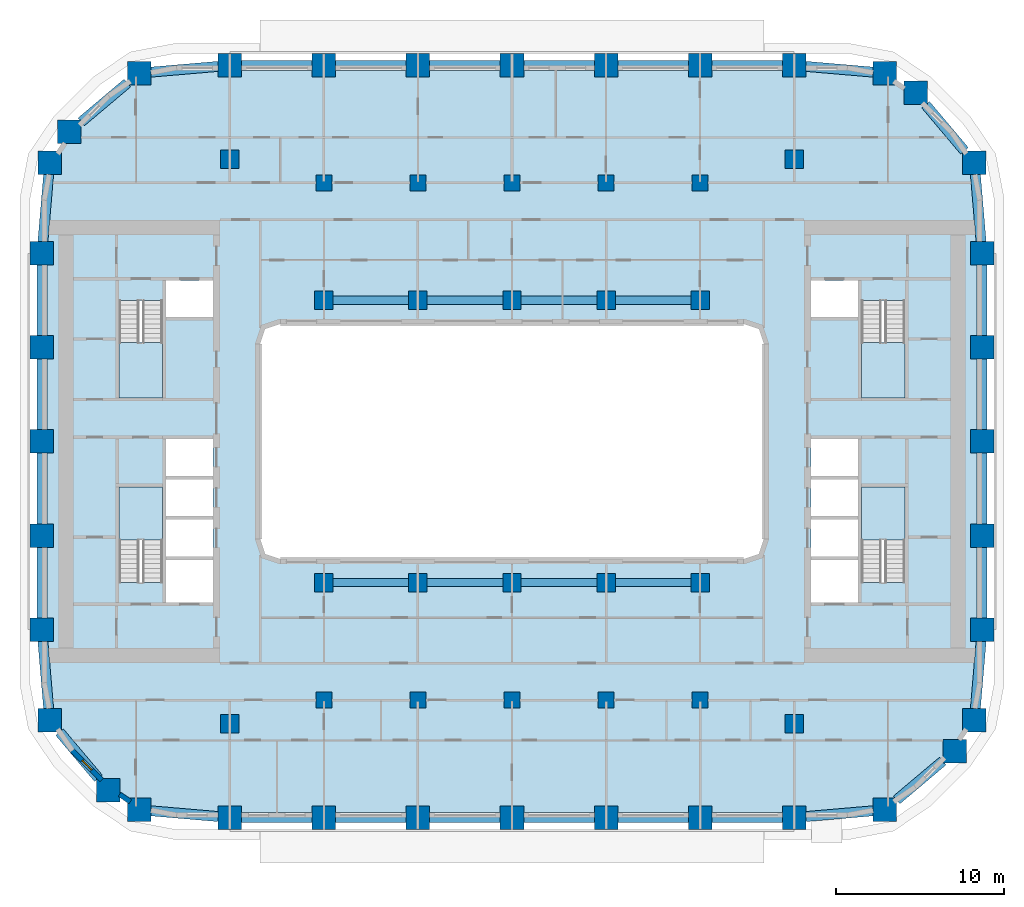
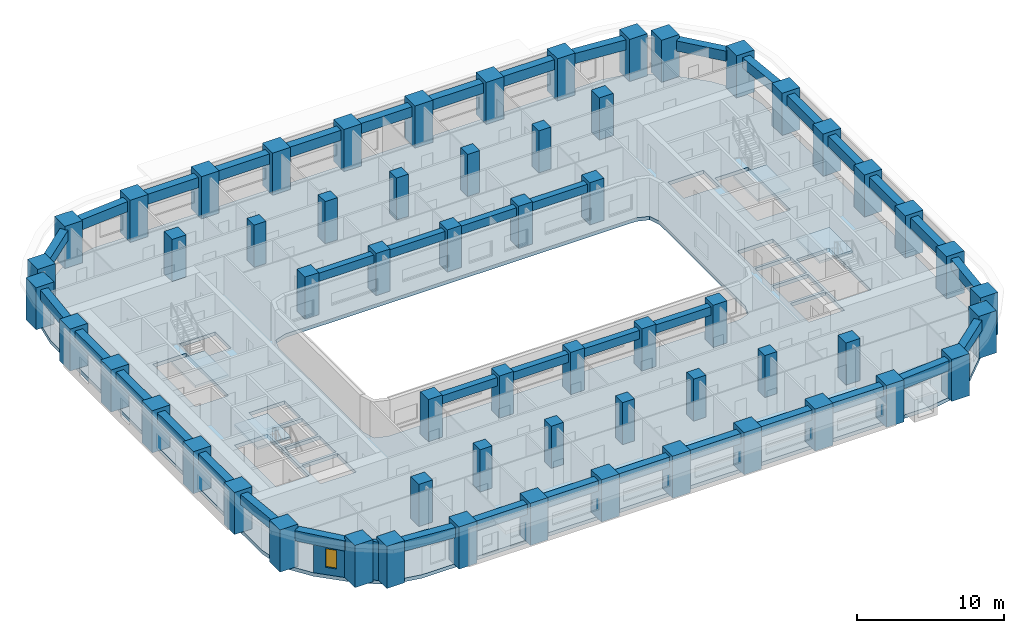
# One storey, part 1 of 22: 60 columns, 40 beams, 5 slabs, 2 walls, 1 window, 1 opening, 4 elements without a shape of their own.
"""IFC4 building model written with IfcOpenShell, lengths in metres."""

from ifc_helpers import new_model, si_unit, direction, frame, frame_2d, origin, origin_2d, place, context, subcontext, project, spatial, polyline, rectangle, outline, extrude, material, layer, layer_set, material_profile, profile_set, type_object, element, fill, aggregate, save


model = new_model("IFC4")

# Units and contexts
model_context = context("Model", 3, precision=1e-05, world=origin(), true_north=direction((0.0, 1.0)))
body_context = subcontext(model_context, "Body", "Model", "MODEL_VIEW")
ifc_project = project(units=[si_unit("LENGTHUNIT", "METRE"), si_unit("AREAUNIT", "SQUARE_METRE"), si_unit("VOLUMEUNIT", "CUBIC_METRE"), si_unit("PLANEANGLEUNIT", "RADIAN"), si_unit("MASSUNIT", "GRAM", prefix="KILO")], contexts=[model_context])

# Site, building, storey
site_placement = place(None, origin())
site = spatial("IfcSite", under=ifc_project, at=site_placement, CompositionType="ELEMENT")
building_placement = place(site_placement, origin())
building = spatial("IfcBuilding", under=site, at=building_placement, Name="Kiln Ring Residences", CompositionType="ELEMENT")
storey_placement = place(building_placement, frame((0.0, 0.0, 58.5)))
storey = spatial("IfcBuildingStorey", under=building, at=storey_placement, Name="L14", CompositionType="ELEMENT", Elevation=58.5)

# Columns
ifc_material_1 = material(Name="Concrete C80/95", Category="concrete")
ifc_material_profile_1 = material_profile(ifc_material_1, rectangle(XDim=0.949951171875, YDim=0.949951171875, at=origin_2d()), Name="RC950x950")
ifc_profile_set_1 = profile_set([ifc_material_profile_1], Name="Concrete C80/95")
column_type_1 = type_object("IfcColumnType", Name="Corridor column RC950x950 C80/95", PredefinedType="COLUMN", material=ifc_profile_set_1)
for number, where, z_axis, x_axis, name in (
    (1, (-11.199951171875, 15.39990234375, 0.0), (0.0, 0.0, 1.0), (1.0, 0.0, 0.0), "Corridor column L14 1"),
    (2, (-5.60009765625, 15.39990234375, 0.0), (0.0, 0.0, 1.0), (1.0, 0.0, 0.0), "Corridor column L14 2"),
    (3, (0.0, 15.39990234375, 0.0), (0.0, 0.0, 1.0), (1.0, 0.0, 0.0), "Corridor column L14 3"),
    (4, (5.60009765625, 15.39990234375, 0.0), (0.0, 0.0, 1.0), (1.0, 0.0, 0.0), "Corridor column L14 4"),
    (5, (11.199951171875, 15.39990234375, 0.0), (0.0, 0.0, 1.0), (1.0, 0.0, 0.0), "Corridor column L14 5"),
    (6, (-11.199951171875, -15.39990234375, 0.0), (0.0, 0.0, 1.0), (1.0, 0.0, 0.0), "Corridor column L14 6"),
    (7, (-5.60009765625, -15.39990234375, 0.0), (0.0, 0.0, 1.0), (1.0, 0.0, 0.0), "Corridor column L14 7"),
    (8, (0.0, -15.39990234375, 0.0), (0.0, 0.0, 1.0), (1.0, 0.0, 0.0), "Corridor column L14 8"),
    (9, (5.60009765625, -15.39990234375, 0.0), (0.0, 0.0, 1.0), (1.0, 0.0, 0.0), "Corridor column L14 9"),
    (10, (11.199951171875, -15.39990234375, 0.0), (0.0, 0.0, 1.0), (1.0, 0.0, 0.0), "Corridor column L14 10"),
):
    element("IfcColumn", number, at=place(storey_placement, frame(where, z_axis=z_axis, x_axis=x_axis)), inside=storey, type_object=column_type_1, Name=name, PredefinedType="COLUMN", context=body_context, shape_type="SweptSolid", body=[
        extrude(rectangle(XDim=0.949951171875, YDim=0.949951171875, at=origin_2d()), origin(), (0.0, 0.0, 1.0), 3.5),
    ])
ifc_material_2 = material(Name="Concrete C80/95", Category="concrete")
ifc_material_profile_2 = material_profile(ifc_material_2, rectangle(XDim=1.39990234375, YDim=1.39990234375, at=origin_2d()), Name="RC1400x1400")
ifc_profile_set_2 = profile_set([ifc_material_profile_2], Name="Concrete C80/95")
column_type_2 = type_object("IfcColumnType", Name="Perimeter column RC1400x1400 C80/95", PredefinedType="COLUMN", material=ifc_profile_set_2)
for number, where, z_axis, x_axis, name in (
    (11, (-22.208740234375, -21.93798828125, 0.0), (0.0, 0.0, 1.0), (1.0, 0.0, 0.0), "Perimeter column L14 1"),
    (12, (-16.800048828125, -22.39990234375, 0.0), (0.0, 0.0, 1.0), (1.0, 0.0, 0.0), "Perimeter column L14 2"),
    (13, (-11.199951171875, -22.39990234375, 0.0), (0.0, 0.0, 1.0), (1.0, 0.0, 0.0), "Perimeter column L14 3"),
    (14, (-5.60009765625, -22.39990234375, 0.0), (0.0, 0.0, 1.0), (1.0, 0.0, 0.0), "Perimeter column L14 4"),
    (15, (0.0, -22.39990234375, 0.0), (0.0, 0.0, 1.0), (1.0, 0.0, 0.0), "Perimeter column L14 5"),
    (16, (5.60009765625, -22.39990234375, 0.0), (0.0, 0.0, 1.0), (1.0, 0.0, 0.0), "Perimeter column L14 6"),
    (17, (11.199951171875, -22.39990234375, 0.0), (0.0, 0.0, 1.0), (1.0, 0.0, 0.0), "Perimeter column L14 7"),
    (18, (16.800048828125, -22.39990234375, 0.0), (0.0, 0.0, 1.0), (1.0, 0.0, 0.0), "Perimeter column L14 8"),
    (19, (22.208740234375, -21.93798828125, 0.0), (0.0, 0.0, 1.0), (1.0, 0.0, 0.0), "Perimeter column L14 9"),
    (20, (26.35986328125, -18.440185546875, 0.0), (0.0, 0.0, 1.0), (1.0, 0.0, 0.0), "Perimeter column L14 10"),
    (21, (27.5380859375, -16.608642578125, 0.0), (0.0, 0.0, 1.0), (1.0, 0.0, 0.0), "Perimeter column L14 11"),
    (22, (28.0, -11.199951171875, 0.0), (0.0, 0.0, 1.0), (1.0, 0.0, 0.0), "Perimeter column L14 12"),
    (23, (28.0, -5.60009765625, 0.0), (0.0, 0.0, 1.0), (1.0, 0.0, 0.0), "Perimeter column L14 13"),
    (24, (28.0, 0.0, 0.0), (0.0, 0.0, 1.0), (1.0, 0.0, 0.0), "Perimeter column L14 14"),
    (25, (28.0, 5.60009765625, 0.0), (0.0, 0.0, 1.0), (1.0, 0.0, 0.0), "Perimeter column L14 15"),
    (26, (28.0, 11.199951171875, 0.0), (0.0, 0.0, 1.0), (1.0, 0.0, 0.0), "Perimeter column L14 16"),
    (27, (27.5380859375, 16.608642578125, 0.0), (0.0, 0.0, 1.0), (1.0, 0.0, 0.0), "Perimeter column L14 17"),
    (28, (24.040283203125, 20.759765625, 0.0), (0.0, 0.0, 1.0), (1.0, 0.0, 0.0), "Perimeter column L14 18"),
    (29, (22.208740234375, 21.93798828125, 0.0), (0.0, 0.0, 1.0), (1.0, 0.0, 0.0), "Perimeter column L14 19"),
    (30, (16.800048828125, 22.39990234375, 0.0), (0.0, 0.0, 1.0), (1.0, 0.0, 0.0), "Perimeter column L14 20"),
    (31, (11.199951171875, 22.39990234375, 0.0), (0.0, 0.0, 1.0), (1.0, 0.0, 0.0), "Perimeter column L14 21"),
    (32, (5.60009765625, 22.39990234375, 0.0), (0.0, 0.0, 1.0), (1.0, 0.0, 0.0), "Perimeter column L14 22"),
    (33, (0.0, 22.39990234375, 0.0), (0.0, 0.0, 1.0), (1.0, 0.0, 0.0), "Perimeter column L14 23"),
    (34, (-5.60009765625, 22.39990234375, 0.0), (0.0, 0.0, 1.0), (1.0, 0.0, 0.0), "Perimeter column L14 24"),
    (35, (-11.199951171875, 22.39990234375, 0.0), (0.0, 0.0, 1.0), (1.0, 0.0, 0.0), "Perimeter column L14 25"),
    (36, (-16.800048828125, 22.39990234375, 0.0), (0.0, 0.0, 1.0), (1.0, 0.0, 0.0), "Perimeter column L14 26"),
    (37, (-22.208740234375, 21.93798828125, 0.0), (0.0, 0.0, 1.0), (1.0, 0.0, 0.0), "Perimeter column L14 27"),
    (38, (-26.35986328125, 18.440185546875, 0.0), (0.0, 0.0, 1.0), (1.0, 0.0, 0.0), "Perimeter column L14 28"),
    (39, (-27.5380859375, 16.608642578125, 0.0), (0.0, 0.0, 1.0), (1.0, 0.0, 0.0), "Perimeter column L14 29"),
    (40, (-28.0, 11.199951171875, 0.0), (0.0, 0.0, 1.0), (1.0, 0.0, 0.0), "Perimeter column L14 30"),
    (41, (-28.0, 5.60009765625, 0.0), (0.0, 0.0, 1.0), (1.0, 0.0, 0.0), "Perimeter column L14 31"),
    (42, (-28.0, 0.0, 0.0), (0.0, 0.0, 1.0), (1.0, 0.0, 0.0), "Perimeter column L14 32"),
    (43, (-28.0, -5.60009765625, 0.0), (0.0, 0.0, 1.0), (1.0, 0.0, 0.0), "Perimeter column L14 33"),
    (44, (-28.0, -11.199951171875, 0.0), (0.0, 0.0, 1.0), (1.0, 0.0, 0.0), "Perimeter column L14 34"),
    (45, (-27.5380859375, -16.608642578125, 0.0), (0.0, 0.0, 1.0), (1.0, 0.0, 0.0), "Perimeter column L14 35"),
    (46, (-24.040283203125, -20.759765625, 0.0), (0.0, 0.0, 1.0), (1.0, 0.0, 0.0), "Perimeter column L14 36"),
):
    element("IfcColumn", number, at=place(storey_placement, frame(where, z_axis=z_axis, x_axis=x_axis)), inside=storey, type_object=column_type_2, Name=name, PredefinedType="COLUMN", context=body_context, shape_type="SweptSolid", body=[
        extrude(rectangle(XDim=1.39990234375, YDim=1.39990234375, at=origin_2d()), origin(), (0.0, 0.0, 1.0), 3.5),
    ])
ifc_material_3 = material(Name="Concrete C80/95", Category="concrete")
ifc_material_profile_3 = material_profile(ifc_material_3, rectangle(XDim=1.10009765625, YDim=1.10009765625, at=origin_2d()), Name="RC1100x1100")
ifc_profile_set_3 = profile_set([ifc_material_profile_3], Name="Concrete C80/95")
column_type_3 = type_object("IfcColumnType", Name="Ring column RC1100x1100 C80/95", PredefinedType="COLUMN", material=ifc_profile_set_3)
for number, where, z_axis, x_axis, name in (
    (47, (-16.800048828125, -16.800048828125, 0.0), (0.0, 0.0, 1.0), (1.0, 0.0, 0.0), "Ring column L14 1"),
    (48, (-16.800048828125, 16.800048828125, 0.0), (0.0, 0.0, 1.0), (1.0, 0.0, 0.0), "Ring column L14 2"),
    (49, (-11.199951171875, -8.39990234375, 0.0), (0.0, 0.0, 1.0), (1.0, 0.0, 0.0), "Ring column L14 3"),
    (50, (-11.199951171875, 8.39990234375, 0.0), (0.0, 0.0, 1.0), (1.0, 0.0, 0.0), "Ring column L14 4"),
    (51, (-5.60009765625, -8.39990234375, 0.0), (0.0, 0.0, 1.0), (1.0, 0.0, 0.0), "Ring column L14 5"),
    (52, (-5.60009765625, 8.39990234375, 0.0), (0.0, 0.0, 1.0), (1.0, 0.0, 0.0), "Ring column L14 6"),
    (53, (0.0, -8.39990234375, 0.0), (0.0, 0.0, 1.0), (1.0, 0.0, 0.0), "Ring column L14 7"),
    (54, (0.0, 8.39990234375, 0.0), (0.0, 0.0, 1.0), (1.0, 0.0, 0.0), "Ring column L14 8"),
    (55, (5.60009765625, -8.39990234375, 0.0), (0.0, 0.0, 1.0), (1.0, 0.0, 0.0), "Ring column L14 9"),
    (56, (5.60009765625, 8.39990234375, 0.0), (0.0, 0.0, 1.0), (1.0, 0.0, 0.0), "Ring column L14 10"),
    (57, (11.199951171875, -8.39990234375, 0.0), (0.0, 0.0, 1.0), (1.0, 0.0, 0.0), "Ring column L14 11"),
    (58, (11.199951171875, 8.39990234375, 0.0), (0.0, 0.0, 1.0), (1.0, 0.0, 0.0), "Ring column L14 12"),
    (59, (16.800048828125, -16.800048828125, 0.0), (0.0, 0.0, 1.0), (1.0, 0.0, 0.0), "Ring column L14 13"),
    (60, (16.800048828125, 16.800048828125, 0.0), (0.0, 0.0, 1.0), (1.0, 0.0, 0.0), "Ring column L14 14"),
):
    element("IfcColumn", number, at=place(storey_placement, frame(where, z_axis=z_axis, x_axis=x_axis)), inside=storey, type_object=column_type_3, Name=name, PredefinedType="COLUMN", context=body_context, shape_type="SweptSolid", body=[
        extrude(rectangle(XDim=1.10009765625, YDim=1.10009765625, at=origin_2d()), origin(), (0.0, 0.0, 1.0), 3.5),
    ])

# Beams
ifc_material_4 = material(Name="Concrete C50/60", Category="concrete")
ifc_material_profile_4 = material_profile(ifc_material_4, rectangle(XDim=0.5, YDim=0.699951171875, at=origin_2d()), Name="RC500x700")
ifc_profile_set_4 = profile_set([ifc_material_profile_4], Name="Concrete C50/60")
beam_type_1 = type_object("IfcBeamType", Name="Ring beam RC500x700 C50/60", PredefinedType="BEAM", material=ifc_profile_set_4)
for number, where, z_axis, x_axis, name in (
    (61, (-10.64990234375, -8.39990234375, 2.85009765625), (1.0, 0.0, 0.0), (0.0, 1.0, 0.0), "Ring beam L14 1"),
    (62, (-5.050048828125, -8.39990234375, 2.85009765625), (1.0, 0.0, 0.0), (0.0, 1.0, 0.0), "Ring beam L14 2"),
    (63, (0.550048828125, -8.39990234375, 2.85009765625), (1.0, 0.0, 0.0), (0.0, 1.0, 0.0), "Ring beam L14 3"),
    (64, (6.14990234375, -8.39990234375, 2.85009765625), (1.0, 0.0, 0.0), (0.0, 1.0, 0.0), "Ring beam L14 4"),
    (65, (-10.64990234375, 8.39990234375, 2.85009765625), (1.0, 0.0, 0.0), (0.0, 1.0, 0.0), "Ring beam L14 5"),
    (66, (-5.050048828125, 8.39990234375, 2.85009765625), (1.0, 0.0, 0.0), (0.0, 1.0, 0.0), "Ring beam L14 6"),
    (67, (0.550048828125, 8.39990234375, 2.85009765625), (1.0, 0.0, 0.0), (0.0, 1.0, 0.0), "Ring beam L14 7"),
    (68, (6.14990234375, 8.39990234375, 2.85009765625), (1.0, 0.0, 0.0), (0.0, 1.0, 0.0), "Ring beam L14 8"),
):
    element("IfcBeam", number, at=place(storey_placement, frame(where, z_axis=z_axis, x_axis=x_axis)), inside=storey, type_object=beam_type_1, Name=name, PredefinedType="BEAM", context=body_context, shape_type="SweptSolid", body=[
        extrude(rectangle(XDim=0.5, YDim=0.699951171875, at=origin_2d()), origin(), (0.0, 0.0, 1.0), 4.5),
    ])
ifc_material_5 = material(Name="Concrete C50/60", Category="concrete")
ifc_material_profile_5 = material_profile(ifc_material_5, rectangle(XDim=0.60009765625, YDim=0.85009765625, at=origin_2d()), Name="RC600x850")
ifc_profile_set_5 = profile_set([ifc_material_profile_5], Name="Concrete C50/60")
beam_type_2 = type_object("IfcBeamType", Name="Spandrel beam RC600x850 C50/60", PredefinedType="SPANDREL", material=ifc_profile_set_5)
beam_1_placement = place(storey_placement, frame((-21.5087890625, -21.997802734375, 2.77490234375), z_axis=(0.996369479058, -0.085134371444, 0.0), x_axis=(0.085134371444, 0.996369479058, 0.0)))
element("IfcBeam", 69, at=beam_1_placement, inside=storey, type_object=beam_type_2, Name="Spandrel beam L14 1", PredefinedType="SPANDREL", context=body_context, shape_type="SweptSolid", body=[
    extrude(rectangle(XDim=0.60009765625, YDim=0.85009765625, at=origin_2d()), origin(), (0.0, 0.0, 1.0), 4.0234375),
])
beam_2_placement = place(storey_placement, frame((-16.10009765625, -22.39990234375, 2.77490234375), z_axis=(1.0, 0.0, 0.0), x_axis=(0.0, 1.0, 0.0)))
element("IfcBeam", 70, at=beam_2_placement, inside=storey, type_object=beam_type_2, Name="Spandrel beam L14 2", PredefinedType="SPANDREL", context=body_context, shape_type="SweptSolid", body=[
    extrude(rectangle(XDim=0.60009765625, YDim=0.85009765625, at=origin_2d()), origin(), (0.0, 0.0, 1.0), 4.2001953125),
])
for number, where, z_axis, x_axis, name in (
    (71, (-10.5, -22.39990234375, 2.77490234375), (1.0, 0.0, 0.0), (0.0, 1.0, 0.0), "Spandrel beam L14 3"),
    (72, (-4.89990234375, -22.39990234375, 2.77490234375), (1.0, 0.0, 0.0), (0.0, 1.0, 0.0), "Spandrel beam L14 4"),
    (73, (0.699951171875, -22.39990234375, 2.77490234375), (1.0, 0.0, 0.0), (0.0, 1.0, 0.0), "Spandrel beam L14 5"),
    (74, (6.300048828125, -22.39990234375, 2.77490234375), (1.0, 0.0, 0.0), (0.0, 1.0, 0.0), "Spandrel beam L14 6"),
):
    element("IfcBeam", number, at=place(storey_placement, frame(where, z_axis=z_axis, x_axis=x_axis)), inside=storey, type_object=beam_type_2, Name=name, PredefinedType="SPANDREL", context=body_context, shape_type="SweptSolid", body=[
        extrude(rectangle(XDim=0.60009765625, YDim=0.85009765625, at=origin_2d()), origin(), (0.0, 0.0, 1.0), 4.199951171875),
    ])
beam_3_placement = place(storey_placement, frame((11.89990234375, -22.39990234375, 2.77490234375), z_axis=(1.0, 0.0, 0.0), x_axis=(0.0, 1.0, 0.0)))
element("IfcBeam", 75, at=beam_3_placement, inside=storey, type_object=beam_type_2, Name="Spandrel beam L14 7", PredefinedType="SPANDREL", context=body_context, shape_type="SweptSolid", body=[
    extrude(rectangle(XDim=0.60009765625, YDim=0.85009765625, at=origin_2d()), origin(), (0.0, 0.0, 1.0), 4.2001953125),
])
beam_4_placement = place(storey_placement, frame((17.5, -22.34033203125, 2.77490234375), z_axis=(0.996369479058, 0.085134371444, 0.0), x_axis=(-0.085134371444, 0.996369479058, 0.0)))
element("IfcBeam", 76, at=beam_4_placement, inside=storey, type_object=beam_type_2, Name="Spandrel beam L14 8", PredefinedType="SPANDREL", context=body_context, shape_type="SweptSolid", body=[
    extrude(rectangle(XDim=0.60009765625, YDim=0.85009765625, at=origin_2d()), origin(), (0.0, 0.0, 1.0), 4.0234375),
])
beam_5_placement = place(storey_placement, frame((22.90869140625, -21.34814453125, 2.77490234375), z_axis=(0.764733430751, 0.644346785428, 0.0), x_axis=(-0.644346785428, 0.764733430751, 0.0)))
element("IfcBeam", 77, at=beam_5_placement, inside=storey, type_object=beam_type_2, Name="Spandrel beam L14 9", PredefinedType="SPANDREL", context=body_context, shape_type="SweptSolid", body=[
    extrude(rectangle(XDim=0.60009765625, YDim=0.85009765625, at=origin_2d()), origin(), (0.0, 0.0, 1.0), 3.59765625),
])
beam_6_placement = place(storey_placement, frame((27.597900390625, -15.90869140625, 2.77490234375), z_axis=(0.085074130543, 0.996374624482, 0.0), x_axis=(-0.996374624482, 0.085074130543, 0.0)))
element("IfcBeam", 78, at=beam_6_placement, inside=storey, type_object=beam_type_2, Name="Spandrel beam L14 10", PredefinedType="SPANDREL", context=body_context, shape_type="SweptSolid", body=[
    extrude(rectangle(XDim=0.60009765625, YDim=0.85009765625, at=origin_2d()), origin(), (0.0, 0.0, 1.0), 4.0234375),
])
for number, where, z_axis, x_axis, name in (
    (79, (28.0, -10.5, 2.77490234375), (0.0, 1.0, 0.0), (-1.0, 0.0, 0.0), "Spandrel beam L14 11"),
    (80, (28.0, -4.89990234375, 2.77490234375), (0.0, 1.0, 0.0), (-1.0, 0.0, 0.0), "Spandrel beam L14 12"),
    (81, (28.0, 0.699951171875, 2.77490234375), (0.0, 1.0, 0.0), (-1.0, 0.0, 0.0), "Spandrel beam L14 13"),
    (82, (28.0, 6.300048828125, 2.77490234375), (0.0, 1.0, 0.0), (-1.0, 0.0, 0.0), "Spandrel beam L14 14"),
):
    element("IfcBeam", number, at=place(storey_placement, frame(where, z_axis=z_axis, x_axis=x_axis)), inside=storey, type_object=beam_type_2, Name=name, PredefinedType="SPANDREL", context=body_context, shape_type="SweptSolid", body=[
        extrude(rectangle(XDim=0.60009765625, YDim=0.85009765625, at=origin_2d()), origin(), (0.0, 0.0, 1.0), 4.199951171875),
    ])
beam_7_placement = place(storey_placement, frame((27.940185546875, 11.89990234375, 2.77490234375), z_axis=(-0.085074130543, 0.996374624482, 0.0), x_axis=(-0.996374624482, -0.085074130543, 0.0)))
element("IfcBeam", 83, at=beam_7_placement, inside=storey, type_object=beam_type_2, Name="Spandrel beam L14 15", PredefinedType="SPANDREL", context=body_context, shape_type="SweptSolid", body=[
    extrude(rectangle(XDim=0.60009765625, YDim=0.85009765625, at=origin_2d()), origin(), (0.0, 0.0, 1.0), 4.0234375),
])
beam_8_placement = place(storey_placement, frame((26.9482421875, 17.30859375, 2.77490234375), z_axis=(-0.644346785428, 0.764733430751, 0.0), x_axis=(-0.764733430751, -0.644346785428, 0.0)))
element("IfcBeam", 84, at=beam_8_placement, inside=storey, type_object=beam_type_2, Name="Spandrel beam L14 16", PredefinedType="SPANDREL", context=body_context, shape_type="SweptSolid", body=[
    extrude(rectangle(XDim=0.60009765625, YDim=0.85009765625, at=origin_2d()), origin(), (0.0, 0.0, 1.0), 3.59765625),
])
beam_9_placement = place(storey_placement, frame((21.5087890625, 21.997802734375, 2.77490234375), z_axis=(-0.996369479058, 0.085134371444, 0.0), x_axis=(-0.085134371444, -0.996369479058, 0.0)))
element("IfcBeam", 85, at=beam_9_placement, inside=storey, type_object=beam_type_2, Name="Spandrel beam L14 17", PredefinedType="SPANDREL", context=body_context, shape_type="SweptSolid", body=[
    extrude(rectangle(XDim=0.60009765625, YDim=0.85009765625, at=origin_2d()), origin(), (0.0, 0.0, 1.0), 4.0234375),
])
beam_10_placement = place(storey_placement, frame((16.10009765625, 22.39990234375, 2.77490234375), z_axis=(-1.0, 0.0, 0.0), x_axis=(0.0, -1.0, 0.0)))
element("IfcBeam", 86, at=beam_10_placement, inside=storey, type_object=beam_type_2, Name="Spandrel beam L14 18", PredefinedType="SPANDREL", context=body_context, shape_type="SweptSolid", body=[
    extrude(rectangle(XDim=0.60009765625, YDim=0.85009765625, at=origin_2d()), origin(), (0.0, 0.0, 1.0), 4.2001953125),
])
for number, where, z_axis, x_axis, name in (
    (87, (10.5, 22.39990234375, 2.77490234375), (-1.0, 0.0, 0.0), (0.0, -1.0, 0.0), "Spandrel beam L14 19"),
    (88, (4.89990234375, 22.39990234375, 2.77490234375), (-1.0, 0.0, 0.0), (0.0, -1.0, 0.0), "Spandrel beam L14 20"),
    (89, (-0.699951171875, 22.39990234375, 2.77490234375), (-1.0, 0.0, 0.0), (0.0, -1.0, 0.0), "Spandrel beam L14 21"),
    (90, (-6.300048828125, 22.39990234375, 2.77490234375), (-1.0, 0.0, 0.0), (0.0, -1.0, 0.0), "Spandrel beam L14 22"),
):
    element("IfcBeam", number, at=place(storey_placement, frame(where, z_axis=z_axis, x_axis=x_axis)), inside=storey, type_object=beam_type_2, Name=name, PredefinedType="SPANDREL", context=body_context, shape_type="SweptSolid", body=[
        extrude(rectangle(XDim=0.60009765625, YDim=0.85009765625, at=origin_2d()), origin(), (0.0, 0.0, 1.0), 4.199951171875),
    ])
beam_11_placement = place(storey_placement, frame((-11.89990234375, 22.39990234375, 2.77490234375), z_axis=(-1.0, 0.0, 0.0), x_axis=(0.0, -1.0, 0.0)))
element("IfcBeam", 91, at=beam_11_placement, inside=storey, type_object=beam_type_2, Name="Spandrel beam L14 23", PredefinedType="SPANDREL", context=body_context, shape_type="SweptSolid", body=[
    extrude(rectangle(XDim=0.60009765625, YDim=0.85009765625, at=origin_2d()), origin(), (0.0, 0.0, 1.0), 4.2001953125),
])
beam_12_placement = place(storey_placement, frame((-17.5, 22.34033203125, 2.77490234375), z_axis=(-0.996369479058, -0.085134371444, 0.0), x_axis=(0.085134371444, -0.996369479058, 0.0)))
element("IfcBeam", 92, at=beam_12_placement, inside=storey, type_object=beam_type_2, Name="Spandrel beam L14 24", PredefinedType="SPANDREL", context=body_context, shape_type="SweptSolid", body=[
    extrude(rectangle(XDim=0.60009765625, YDim=0.85009765625, at=origin_2d()), origin(), (0.0, 0.0, 1.0), 4.0234375),
])
beam_13_placement = place(storey_placement, frame((-22.90869140625, 21.34814453125, 2.77490234375), z_axis=(-0.764733430751, -0.644346785428, 0.0), x_axis=(0.644346785428, -0.764733430751, 0.0)))
element("IfcBeam", 93, at=beam_13_placement, inside=storey, type_object=beam_type_2, Name="Spandrel beam L14 25", PredefinedType="SPANDREL", context=body_context, shape_type="SweptSolid", body=[
    extrude(rectangle(XDim=0.60009765625, YDim=0.85009765625, at=origin_2d()), origin(), (0.0, 0.0, 1.0), 3.59765625),
])
beam_14_placement = place(storey_placement, frame((-27.597900390625, 15.90869140625, 2.77490234375), z_axis=(-0.085074130543, -0.996374624482, 0.0), x_axis=(0.996374624482, -0.085074130543, 0.0)))
element("IfcBeam", 94, at=beam_14_placement, inside=storey, type_object=beam_type_2, Name="Spandrel beam L14 26", PredefinedType="SPANDREL", context=body_context, shape_type="SweptSolid", body=[
    extrude(rectangle(XDim=0.60009765625, YDim=0.85009765625, at=origin_2d()), origin(), (0.0, 0.0, 1.0), 4.0234375),
])
for number, where, z_axis, x_axis, name in (
    (95, (-28.0, 10.5, 2.77490234375), (0.0, -1.0, 0.0), (1.0, 0.0, 0.0), "Spandrel beam L14 27"),
    (96, (-28.0, 4.89990234375, 2.77490234375), (0.0, -1.0, 0.0), (1.0, 0.0, 0.0), "Spandrel beam L14 28"),
    (97, (-28.0, -0.699951171875, 2.77490234375), (0.0, -1.0, 0.0), (1.0, 0.0, 0.0), "Spandrel beam L14 29"),
    (98, (-28.0, -6.300048828125, 2.77490234375), (0.0, -1.0, 0.0), (1.0, 0.0, 0.0), "Spandrel beam L14 30"),
):
    element("IfcBeam", number, at=place(storey_placement, frame(where, z_axis=z_axis, x_axis=x_axis)), inside=storey, type_object=beam_type_2, Name=name, PredefinedType="SPANDREL", context=body_context, shape_type="SweptSolid", body=[
        extrude(rectangle(XDim=0.60009765625, YDim=0.85009765625, at=origin_2d()), origin(), (0.0, 0.0, 1.0), 4.199951171875),
    ])
beam_15_placement = place(storey_placement, frame((-27.940185546875, -11.89990234375, 2.77490234375), z_axis=(0.085074130543, -0.996374624482, 0.0), x_axis=(0.996374624482, 0.085074130543, 0.0)))
element("IfcBeam", 99, at=beam_15_placement, inside=storey, type_object=beam_type_2, Name="Spandrel beam L14 31", PredefinedType="SPANDREL", context=body_context, shape_type="SweptSolid", body=[
    extrude(rectangle(XDim=0.60009765625, YDim=0.85009765625, at=origin_2d()), origin(), (0.0, 0.0, 1.0), 4.0234375),
])
beam_16_placement = place(storey_placement, frame((-26.9482421875, -17.30859375, 2.77490234375), z_axis=(0.644346785428, -0.764733430751, 0.0), x_axis=(0.764733430751, 0.644346785428, 0.0)))
element("IfcBeam", 100, at=beam_16_placement, inside=storey, type_object=beam_type_2, Name="Spandrel beam L14 32", PredefinedType="SPANDREL", context=body_context, shape_type="SweptSolid", body=[
    extrude(rectangle(XDim=0.60009765625, YDim=0.85009765625, at=origin_2d()), origin(), (0.0, 0.0, 1.0), 3.59765625),
])

# Stair, slab
ifc_material_6 = material(Name="Concrete C40/50", Category="concrete")
stair_type = type_object("IfcStairType", Name="CORE-STAIR", PredefinedType="HALF_TURN_STAIR", material=ifc_material_6)
placement_1 = place(storey_placement, origin())
stair_1 = element("IfcStair", 101, at=placement_1, inside=storey, type_object=stair_type, Name="L14 stair W-STN", PredefinedType="HALF_TURN_STAIR")
ifc_material_7 = material(Name="Concrete C40/50", Category="concrete")
ifc_layer_1 = layer(ifc_material_7, 0.199951171875)
ifc_layer_set_1 = layer_set([ifc_layer_1], Name="CORE-STAIR-LANDING")
slab_type_1 = type_object("IfcSlabType", Name="CORE-STAIR-LANDING", PredefinedType="LANDING", material=ifc_layer_set_1)
placement_2 = place(storey_placement, frame((0.0, 0.0, 1.550048828125)))
slab_1 = element("IfcSlab", 102, at=placement_2, type_object=slab_type_1, Name="W-STN landing 1", PredefinedType="LANDING", context=body_context, shape_type="SweptSolid", body=[
    extrude(outline(polyline([(-23.39990234375, 5.8798828125), (-23.39990234375, 2.60009765625), (-20.800048828125, 2.60009765625), (-20.800048828125, 5.8798828125), (-23.39990234375, 5.8798828125)])), origin(), (0.0, 0.0, 1.0), 0.199951171875),
])
aggregate(stair_1, [slab_1])

stair_2 = element("IfcStair", 103, at=placement_1, inside=storey, type_object=stair_type, Name="L14 stair W-STS", PredefinedType="HALF_TURN_STAIR")
slab_2 = element("IfcSlab", 104, at=placement_2, type_object=slab_type_1, Name="W-STS landing 1", PredefinedType="LANDING", context=body_context, shape_type="SweptSolid", body=[
    extrude(outline(polyline([(-20.800048828125, -5.8798828125), (-20.800048828125, -2.699951171875), (-23.39990234375, -2.699951171875), (-23.39990234375, -5.8798828125), (-20.800048828125, -5.8798828125)])), origin(), (0.0, 0.0, 1.0), 0.199951171875),
])
aggregate(stair_2, [slab_2])

stair_3 = element("IfcStair", 105, at=placement_1, inside=storey, type_object=stair_type, Name="L14 stair E-STN", PredefinedType="HALF_TURN_STAIR")
slab_3 = element("IfcSlab", 106, at=placement_2, type_object=slab_type_1, Name="E-STN landing 1", PredefinedType="LANDING", context=body_context, shape_type="SweptSolid", body=[
    extrude(outline(polyline([(20.800048828125, 5.8798828125), (20.800048828125, 2.60009765625), (23.39990234375, 2.60009765625), (23.39990234375, 5.8798828125), (20.800048828125, 5.8798828125)])), origin(), (0.0, 0.0, 1.0), 0.199951171875),
])
aggregate(stair_3, [slab_3])

stair_4 = element("IfcStair", 107, at=placement_1, inside=storey, type_object=stair_type, Name="L14 stair E-STS", PredefinedType="HALF_TURN_STAIR")
slab_4 = element("IfcSlab", 108, at=placement_2, type_object=slab_type_1, Name="E-STS landing 1", PredefinedType="LANDING", context=body_context, shape_type="SweptSolid", body=[
    extrude(outline(polyline([(23.39990234375, -5.8798828125), (23.39990234375, -2.699951171875), (20.800048828125, -2.699951171875), (20.800048828125, -5.8798828125), (23.39990234375, -5.8798828125)])), origin(), (0.0, 0.0, 1.0), 0.199951171875),
])
aggregate(stair_4, [slab_4])

# Slab
ifc_material_8 = material(Name="Concrete C40/50", Category="concrete")
ifc_layer_2 = layer(ifc_material_8, 0.300048828125)
ifc_layer_set_2 = layer_set([ifc_layer_2], Name="Floor slab 300")
slab_type_2 = type_object("IfcSlabType", Name="Floor slab 300", PredefinedType="FLOOR", material=ifc_layer_set_2)
slab_5_placement = place(storey_placement, frame((0.0, 0.0, -0.300048828125)))
element("IfcSlab", 109, at=slab_5_placement, inside=storey, type_object=slab_type_2, Name="Floor slab L14 1", PredefinedType="FLOOR", context=body_context, shape_type="SweptSolid", body=[
    extrude(outline(polyline([(-26.302978515625, -18.4970703125), (-24.09716796875, -20.702880859375), (-22.224365234375, -21.975830078125), (-20.0, -22.39990234375), (20.0, -22.39990234375), (22.224365234375, -21.975830078125), (24.09716796875, -20.702880859375), (26.302978515625, -18.4970703125), (27.57568359375, -16.624267578125), (28.0, -14.39990234375), (28.0, 14.39990234375), (27.57568359375, 16.624267578125), (26.302978515625, 18.4970703125), (24.09716796875, 20.702880859375), (22.224365234375, 21.975830078125), (20.0, 22.39990234375), (-20.0, 22.39990234375), (-22.224365234375, 21.975830078125), (-24.09716796875, 20.702880859375), (-26.302978515625, 18.4970703125), (-27.57568359375, 16.624267578125), (-28.0, 14.39990234375), (-28.0, -14.39990234375), (-27.57568359375, -16.624267578125), (-26.302978515625, -18.4970703125)]), holes=[polyline([(-14.699951171875, -6.699951171875), (-15.0, -5.800048828125), (-15.0, 5.800048828125), (-14.699951171875, 6.699951171875), (-13.800048828125, 7.0), (13.800048828125, 7.0), (14.699951171875, 6.699951171875), (15.0, 5.800048828125), (15.0, -5.800048828125), (14.699951171875, -6.699951171875), (13.800048828125, -7.0), (-13.800048828125, -7.0), (-14.699951171875, -6.699951171875)]), polyline([(20.800048828125, -8.39794921875), (20.800048828125, -2.699951171875), (23.39990234375, -2.699951171875), (23.39990234375, -8.39794921875), (20.800048828125, -8.39794921875)]), polyline([(20.800048828125, 2.60009765625), (20.800048828125, 8.39794921875), (23.39990234375, 8.39794921875), (23.39990234375, 2.60009765625), (20.800048828125, 2.60009765625)]), polyline([(17.800048828125, -6.85009765625), (17.800048828125, -4.64990234375), (20.60009765625, -4.64990234375), (20.60009765625, -6.85009765625), (17.800048828125, -6.85009765625)]), polyline([(17.800048828125, -4.449951171875), (17.800048828125, -2.25), (20.60009765625, -2.25), (20.60009765625, -4.449951171875), (17.800048828125, -4.449951171875)]), polyline([(17.800048828125, -2.050048828125), (17.800048828125, 0.14990234375), (20.60009765625, 0.14990234375), (20.60009765625, -2.050048828125), (17.800048828125, -2.050048828125)]), polyline([(17.800048828125, 7.39990234375), (17.800048828125, 9.60009765625), (20.60009765625, 9.60009765625), (20.60009765625, 7.39990234375), (17.800048828125, 7.39990234375)]), polyline([(20.60009765625, -9.60009765625), (17.800048828125, -9.60009765625), (17.800048828125, -7.050048828125), (20.60009765625, -7.050048828125), (20.60009765625, -9.60009765625)]), polyline([(-17.800048828125, -7.050048828125), (-17.800048828125, -9.60009765625), (-20.60009765625, -9.60009765625), (-20.60009765625, -7.050048828125), (-17.800048828125, -7.050048828125)]), polyline([(-17.800048828125, -6.85009765625), (-20.60009765625, -6.85009765625), (-20.60009765625, -4.64990234375), (-17.800048828125, -4.64990234375), (-17.800048828125, -6.85009765625)]), polyline([(-17.800048828125, -4.449951171875), (-20.60009765625, -4.449951171875), (-20.60009765625, -2.25), (-17.800048828125, -2.25), (-17.800048828125, -4.449951171875)]), polyline([(-17.800048828125, -2.050048828125), (-20.60009765625, -2.050048828125), (-20.60009765625, 0.14990234375), (-17.800048828125, 0.14990234375), (-17.800048828125, -2.050048828125)]), polyline([(-17.800048828125, 7.39990234375), (-20.60009765625, 7.39990234375), (-20.60009765625, 9.60009765625), (-17.800048828125, 9.60009765625), (-17.800048828125, 7.39990234375)]), polyline([(-20.800048828125, -8.39794921875), (-23.39990234375, -8.39794921875), (-23.39990234375, -2.699951171875), (-20.800048828125, -2.699951171875), (-20.800048828125, -8.39794921875)]), polyline([(-20.800048828125, 2.60009765625), (-23.39990234375, 2.60009765625), (-23.39990234375, 8.39794921875), (-20.800048828125, 8.39794921875), (-20.800048828125, 2.60009765625)])]), origin(), (0.0, 0.0, 1.0), 0.300048828125),
])

# Wall, opening, window
ifc_material_9 = material(Name="Brick masonry, dark clay brick", Category="masonry")
ifc_layer_3 = layer(ifc_material_9, 0.300048828125)
ifc_layer_set_3 = layer_set([ifc_layer_3], Name="EW-300 BRICK WALL")
wall_type = type_object("IfcWallType", Name="EW-300 BRICK WALL", PredefinedType="SOLIDWALL", material=ifc_layer_set_3)
wall_1_placement = place(storey_placement, frame((-26.19677734375, -18.390869140625, 0.0), z_axis=(0.0, 0.0, 1.0), x_axis=(0.707057949532, -0.707155609469, 0.0)))
wall_1 = element("IfcWall", 110, at=wall_1_placement, inside=storey, type_object=wall_type, Name="Facade wall L14 1", PredefinedType="SOLIDWALL", context=body_context, shape_type="SweptSolid", body=[
    extrude(rectangle(XDim=2.5, YDim=0.300048828125, at=frame_2d((1.25, 0.0))), origin(), (0.0, 0.0, 1.0), 2.35009765625),
])
opening_placement = place(wall_1_placement, frame((0.85009765625, 0.0, 0.60009765625)))
opening = element("IfcOpeningElement", 111, at=opening_placement, cuts=wall_1, Name="Opening W5", PredefinedType="OPENING", context=body_context, shape_type="SweptSolid", body=[
    extrude(rectangle(XDim=0.800048828125, YDim=1.550048828125, at=frame_2d((0.39990234375, 0.77490234375))), frame((0.0, 0.159912109375, 0.0), z_axis=(0.0, -1.0, 0.0), x_axis=(1.0, 0.0, 0.0)), (0.0, 0.0, 1.0), 0.320068359375),
])
ifc_material_10 = material(Name="Aluminium frame with double glazing", Category="aluminium")
window_type = type_object("IfcWindowType", Name="WINDOW 800 x 1550", PartitioningType="SINGLE_PANEL", PredefinedType="WINDOW", material=ifc_material_10)
window_placement = place(opening_placement, origin())
window = element("IfcWindow", 112, at=window_placement, inside=storey, type_object=window_type, Name="Window L14 1", OverallHeight=1.550048828125, OverallWidth=0.800048828125, PartitioningType="SINGLE_PANEL", PredefinedType="WINDOW", context=body_context, shape_type="SweptSolid", body=[
    extrude(rectangle(XDim=0.800048828125, YDim=1.550048828125, at=frame_2d((0.39990234375, 0.77490234375))), frame((0.0, 0.030029296875, 0.0), z_axis=(0.0, -1.0, 0.0), x_axis=(1.0, 0.0, 0.0)), (0.0, 0.0, 1.0), 0.06005859375),
])
fill(opening, window)

# Wall
wall_2_placement = place(storey_placement, frame((-23.368408203125, -21.016845703125, 0.0), z_axis=(0.0, 0.0, 1.0), x_axis=(0.827037530089, -0.562146710232, 0.0)))
element("IfcWall", 113, at=wall_2_placement, inside=storey, type_object=wall_type, Name="Facade wall L14 2", PredefinedType="SOLIDWALL", context=body_context, shape_type="SweptSolid", body=[
    extrude(rectangle(XDim=0.77685546875, YDim=0.300048828125, at=frame_2d((0.388427734375, 0.0))), origin(), (0.0, 0.0, 1.0), 3.199951171875),
])

save(model, "model.ifc")
